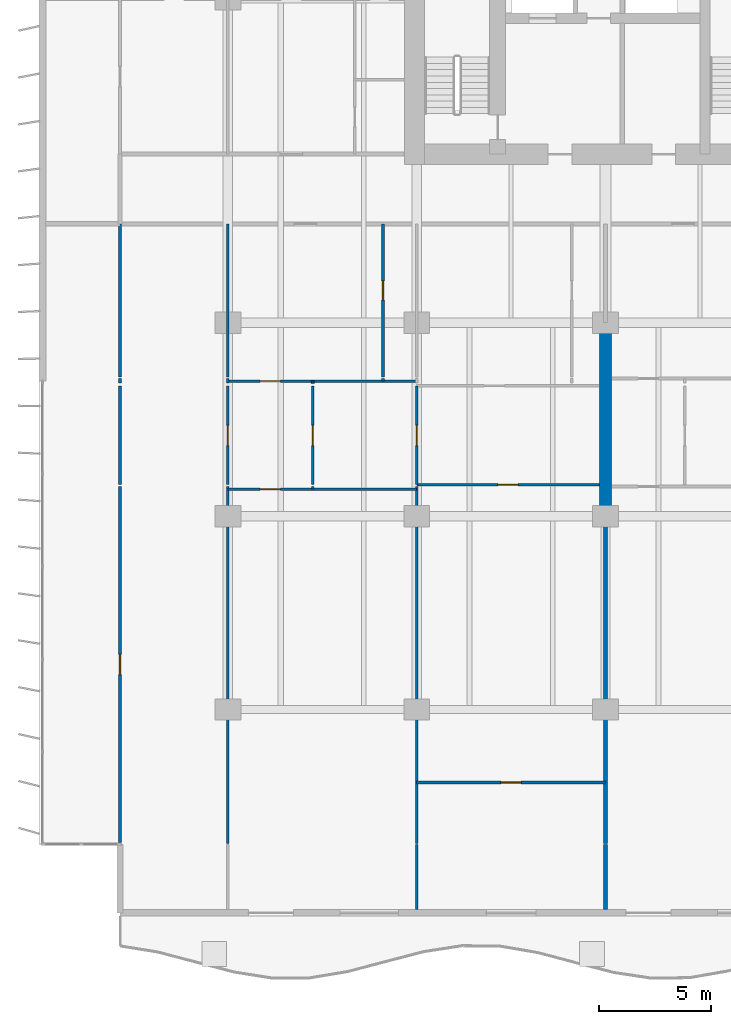
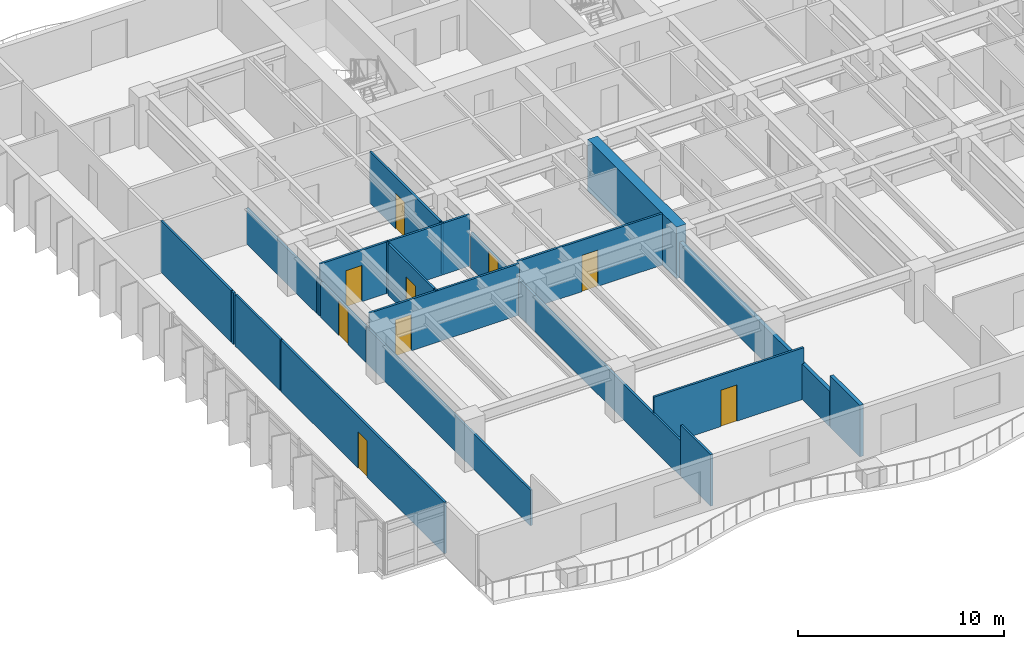
# One storey, part 6 of 18: 23 walls, 9 doors, 9 openings.
"""IFC4 building model written with IfcOpenShell, lengths in metres."""

from ifc_helpers import new_model, si_unit, direction, frame, frame_2d, origin, place, context, subcontext, project, spatial, rectangle, extrude, material, layer, layer_set, type_object, element, fill, save


model = new_model("IFC4")

# Units and contexts
model_context = context("Model", 3, precision=1e-05, world=origin(), true_north=direction((0.0, 1.0)))
body_context = subcontext(model_context, "Body", "Model", "MODEL_VIEW")
ifc_project = project(units=[si_unit("LENGTHUNIT", "METRE"), si_unit("AREAUNIT", "SQUARE_METRE"), si_unit("VOLUMEUNIT", "CUBIC_METRE"), si_unit("PLANEANGLEUNIT", "RADIAN"), si_unit("MASSUNIT", "GRAM", prefix="KILO")], contexts=[model_context])

# Site, building, storey
site_placement = place(None, origin())
site = spatial("IfcSite", under=ifc_project, at=site_placement, CompositionType="ELEMENT")
building_placement = place(site_placement, origin())
building = spatial("IfcBuilding", under=site, at=building_placement, Name="Caelmar Bay Residences", CompositionType="ELEMENT")
storey_placement = place(building_placement, frame((0.0, 0.0, 56.39990234375)))
storey = spatial("IfcBuildingStorey", under=building, at=storey_placement, Name="L14", CompositionType="ELEMENT", Elevation=56.39990234375)

# Wall
ifc_material_1 = material(Name="Concrete f'c 70 MPa (10,000 psi)", Category="concrete")
ifc_layer_1 = layer(ifc_material_1, 0.550048828125)
ifc_layer_set_1 = layer_set([ifc_layer_1], Name="Concrete f'c 70 MPa (10,000 psi)")
wall_type_1 = type_object("IfcWallType", Name="SW-XSLB-550", PredefinedType="SHEAR", material=ifc_layer_set_1)
wall_1_placement = place(storey_placement, frame((26.699951171875, 20.800048828125, 0.0), z_axis=(0.0, 0.0, 1.0), x_axis=(0.0, 1.0, 0.0)))
element("IfcWall", 1, at=wall_1_placement, inside=storey, type_object=wall_type_1, Name="L14 Transverse Cross-Slab Shear Wall W5", PredefinedType="SHEAR", context=body_context, shape_type="SweptSolid", body=[
    extrude(rectangle(XDim=8.599853515625, YDim=0.550048828125, at=frame_2d((4.2998046875, 0.0))), origin(), (0.0, 0.0, 1.0), 3.050048828125),
])

# Wall, opening, door
ifc_material_2 = material(Name="Acoustic metal-stud gypsum partition 120 mm")
ifc_layer_2 = layer(ifc_material_2, 0.1201171875)
ifc_layer_set_2 = layer_set([ifc_layer_2], Name="Acoustic metal-stud gypsum partition 120 mm")
wall_type_2 = type_object("IfcWallType", Name="W-PRT-120", PredefinedType="PARTITIONING", material=ifc_layer_set_2)
wall_2_placement = place(storey_placement, frame((5.10009765625, 6.284912109375, 0.0), z_axis=(0.0, 0.0, 1.0), x_axis=(0.0, 1.0, 0.0)))
wall_2 = element("IfcWall", 2, at=wall_2_placement, inside=storey, type_object=wall_type_2, Name="L14 Partition Wall V001", PredefinedType="PARTITIONING", context=body_context, shape_type="SweptSolid", body=[
    extrude(rectangle(XDim=15.835205078125, YDim=0.1201171875, at=frame_2d((7.91748046875, 0.0))), origin(), (0.0, 0.0, 1.0), 3.050048828125),
])
opening_1_placement = place(wall_2_placement, frame((7.467529296875, 0.0, 0.0)))
opening_1 = element("IfcOpeningElement", 3, at=opening_1_placement, cuts=wall_2, Name="Opening D-L14-164", PredefinedType="OPENING", context=body_context, shape_type="SweptSolid", body=[
    extrude(rectangle(XDim=0.89990234375, YDim=2.14990234375, at=frame_2d((0.449951171875, 1.074951171875))), frame((0.0, 0.070068359375, 0.0), z_axis=(0.0, -1.0, 0.0), x_axis=(1.0, 0.0, 0.0)), (0.0, 0.0, 1.0), 0.14013671875),
])
ifc_material_3 = material(Name="Solid walnut timber interior door leaf and frame", Category="wood")
ifc_layer_3 = layer(ifc_material_3, 0.050048828125)
ifc_layer_set_3 = layer_set([ifc_layer_3], Name="Solid walnut timber interior door leaf and frame")
door_type_1 = type_object("IfcDoorType", Name="D-ROOM-900", OperationType="NOTDEFINED", PredefinedType="DOOR", material=ifc_layer_set_3)
door_1_placement = place(opening_1_placement, origin())
door_1 = element("IfcDoor", 4, at=door_1_placement, inside=storey, type_object=door_type_1, Name="L14 Residence 01 Penthouse West Salon Door", OperationType="SINGLE_SWING_LEFT", OverallHeight=2.14990234375, OverallWidth=0.89990234375, PredefinedType="DOOR", context=body_context, shape_type="SweptSolid", body=[
    extrude(rectangle(XDim=0.89990234375, YDim=2.14990234375, at=frame_2d((0.449951171875, 1.074951171875))), frame((0.0, 0.02490234375, 0.0), z_axis=(0.0, -1.0, 0.0), x_axis=(1.0, 0.0, 0.0)), (0.0, 0.0, 1.0), 0.050048828125),
])
fill(opening_1, door_1)

# Walls
wall_3_placement = place(storey_placement, frame((5.10009765625, 22.199951171875, 0.0), z_axis=(0.0, 0.0, 1.0), x_axis=(0.0, 1.0, 0.0)))
element("IfcWall", 5, at=wall_3_placement, inside=storey, type_object=wall_type_2, Name="L14 Partition Wall V002", PredefinedType="PARTITIONING", context=body_context, shape_type="SweptSolid", body=[
    extrude(rectangle(XDim=4.380126953125, YDim=0.1201171875, at=frame_2d((2.18994140625, 0.0))), origin(), (0.0, 0.0, 1.0), 3.050048828125),
])
wall_4_placement = place(storey_placement, frame((5.10009765625, 26.719970703125, 0.0), z_axis=(0.0, 0.0, 1.0), x_axis=(0.0, 1.0, 0.0)))
element("IfcWall", 6, at=wall_4_placement, inside=storey, type_object=wall_type_2, Name="L14 Partition Wall V003", PredefinedType="PARTITIONING", context=body_context, shape_type="SweptSolid", body=[
    extrude(rectangle(XDim=0.199951171875, YDim=0.1201171875, at=frame_2d((0.10009765625, 0.0))), origin(), (0.0, 0.0, 1.0), 3.050048828125),
])
wall_5_placement = place(storey_placement, frame((5.10009765625, 26.97998046875, 0.0), z_axis=(0.0, 0.0, 1.0), x_axis=(0.0, 1.0, 0.0)))
element("IfcWall", 7, at=wall_5_placement, inside=storey, type_object=wall_type_2, Name="L14 Partition Wall V004", PredefinedType="PARTITIONING", context=body_context, shape_type="SweptSolid", body=[
    extrude(rectangle(XDim=6.820068359375, YDim=0.1201171875, at=frame_2d((3.41015625, 0.0))), origin(), (0.0, 0.0, 1.0), 3.050048828125),
])
wall_6_placement = place(storey_placement, frame((9.89990234375, 6.239990234375, 0.0), z_axis=(0.0, 0.0, 1.0), x_axis=(0.0, 1.0, 0.0)))
element("IfcWall", 8, at=wall_6_placement, inside=storey, type_object=wall_type_2, Name="L14 Partition Wall V008", PredefinedType="PARTITIONING", context=body_context, shape_type="SweptSolid", body=[
    extrude(rectangle(XDim=15.880126953125, YDim=0.1201171875, at=frame_2d((7.93994140625, 0.0))), origin(), (0.0, 0.0, 1.0), 2.110107421875),
])

# Wall, opening, door
wall_7_placement = place(storey_placement, frame((9.89990234375, 22.199951171875, 0.0), z_axis=(0.0, 0.0, 1.0), x_axis=(0.0, 1.0, 0.0)))
wall_7 = element("IfcWall", 9, at=wall_7_placement, inside=storey, type_object=wall_type_2, Name="L14 Partition Wall V009", PredefinedType="PARTITIONING", context=body_context, shape_type="SweptSolid", body=[
    extrude(rectangle(XDim=4.380126953125, YDim=0.1201171875, at=frame_2d((2.18994140625, 0.0))), origin(), (0.0, 0.0, 1.0), 2.110107421875),
])
opening_2_placement = place(wall_7_placement, frame((1.739990234375, 0.0, 0.0)))
opening_2 = element("IfcOpeningElement", 10, at=opening_2_placement, cuts=wall_7, Name="Opening D-L14-131", PredefinedType="OPENING", context=body_context, shape_type="SweptSolid", body=[
    extrude(rectangle(XDim=0.89990234375, YDim=2.06005859375, at=frame_2d((0.449951171875, 1.030029296875))), frame((0.0, 0.070068359375, 0.0), z_axis=(0.0, -1.0, 0.0), x_axis=(1.0, 0.0, 0.0)), (0.0, 0.0, 1.0), 0.14013671875),
])
door_2_placement = place(opening_2_placement, origin())
door_2 = element("IfcDoor", 11, at=door_2_placement, inside=storey, type_object=door_type_1, Name="L14 Residence 01 West Apartment Hall Door", OperationType="SINGLE_SWING_RIGHT", OverallHeight=2.06005859375, OverallWidth=0.89990234375, PredefinedType="DOOR", context=body_context, shape_type="SweptSolid", body=[
    extrude(rectangle(XDim=0.89990234375, YDim=2.06005859375, at=frame_2d((0.449951171875, 1.030029296875))), frame((0.0, 0.02490234375, 0.0), z_axis=(0.0, -1.0, 0.0), x_axis=(1.0, 0.0, 0.0)), (0.0, 0.0, 1.0), 0.050048828125),
])
fill(opening_2, door_2)

# Walls
wall_8_placement = place(storey_placement, frame((9.89990234375, 26.719970703125, 0.0), z_axis=(0.0, 0.0, 1.0), x_axis=(0.0, 1.0, 0.0)))
element("IfcWall", 12, at=wall_8_placement, inside=storey, type_object=wall_type_2, Name="L14 Partition Wall V010", PredefinedType="PARTITIONING", context=body_context, shape_type="SweptSolid", body=[
    extrude(rectangle(XDim=0.199951171875, YDim=0.1201171875, at=frame_2d((0.10009765625, 0.0))), origin(), (0.0, 0.0, 1.0), 2.110107421875),
])
wall_9_placement = place(storey_placement, frame((9.89990234375, 26.97998046875, 0.0), z_axis=(0.0, 0.0, 1.0), x_axis=(0.0, 1.0, 0.0)))
element("IfcWall", 13, at=wall_9_placement, inside=storey, type_object=wall_type_2, Name="L14 Partition Wall V011", PredefinedType="PARTITIONING", context=body_context, shape_type="SweptSolid", body=[
    extrude(rectangle(XDim=6.820068359375, YDim=0.1201171875, at=frame_2d((3.41015625, 0.0))), origin(), (0.0, 0.0, 1.0), 2.110107421875),
])
wall_10_placement = place(storey_placement, frame((13.679931640625, 22.0, 0.0), z_axis=(0.0, 0.0, 1.0), x_axis=(0.0, 1.0, 0.0)))
element("IfcWall", 14, at=wall_10_placement, inside=storey, type_object=wall_type_2, Name="L14 Partition Wall V013", PredefinedType="PARTITIONING", context=body_context, shape_type="SweptSolid", body=[
    extrude(rectangle(XDim=0.1201171875, YDim=0.1201171875, at=frame_2d((0.06005859375, 0.0))), origin(), (0.0, 0.0, 1.0), 3.050048828125),
])

# Wall, opening, door
wall_11_placement = place(storey_placement, frame((13.679931640625, 22.199951171875, 0.0), z_axis=(0.0, 0.0, 1.0), x_axis=(0.0, 1.0, 0.0)))
wall_11 = element("IfcWall", 15, at=wall_11_placement, inside=storey, type_object=wall_type_2, Name="L14 Partition Wall V014", PredefinedType="PARTITIONING", context=body_context, shape_type="SweptSolid", body=[
    extrude(rectangle(XDim=4.380126953125, YDim=0.1201171875, at=frame_2d((2.18994140625, 0.0))), origin(), (0.0, 0.0, 1.0), 3.050048828125),
])
opening_3_placement = place(wall_11_placement, frame((1.739990234375, 0.0, 0.0)))
opening_3 = element("IfcOpeningElement", 16, at=opening_3_placement, cuts=wall_11, Name="Opening D-L14-124", PredefinedType="OPENING", context=body_context, shape_type="SweptSolid", body=[
    extrude(rectangle(XDim=0.89990234375, YDim=2.14990234375, at=frame_2d((0.449951171875, 1.074951171875))), frame((0.0, 0.070068359375, 0.0), z_axis=(0.0, -1.0, 0.0), x_axis=(1.0, 0.0, 0.0)), (0.0, 0.0, 1.0), 0.14013671875),
])
door_3_placement = place(opening_3_placement, origin())
door_3 = element("IfcDoor", 17, at=door_3_placement, inside=storey, type_object=door_type_1, Name="L14 Residence 01 Kitchen Door", OperationType="SINGLE_SWING_LEFT", OverallHeight=2.14990234375, OverallWidth=0.89990234375, PredefinedType="DOOR", context=body_context, shape_type="SweptSolid", body=[
    extrude(rectangle(XDim=0.89990234375, YDim=2.14990234375, at=frame_2d((0.449951171875, 1.074951171875))), frame((0.0, 0.02490234375, 0.0), z_axis=(0.0, -1.0, 0.0), x_axis=(1.0, 0.0, 0.0)), (0.0, 0.0, 1.0), 0.050048828125),
])
fill(opening_3, door_3)

# Walls
wall_12_placement = place(storey_placement, frame((13.679931640625, 26.719970703125, 0.0), z_axis=(0.0, 0.0, 1.0), x_axis=(0.0, 1.0, 0.0)))
element("IfcWall", 18, at=wall_12_placement, inside=storey, type_object=wall_type_2, Name="L14 Partition Wall V015", PredefinedType="PARTITIONING", context=body_context, shape_type="SweptSolid", body=[
    extrude(rectangle(XDim=0.080078125, YDim=0.1201171875, at=frame_2d((0.0400390625, 0.0))), origin(), (0.0, 0.0, 1.0), 3.050048828125),
])
wall_13_placement = place(storey_placement, frame((16.800048828125, 26.800048828125, 0.0), z_axis=(0.0, 0.0, 1.0), x_axis=(0.0, 1.0, 0.0)))
element("IfcWall", 19, at=wall_13_placement, inside=storey, type_object=wall_type_2, Name="L14 Partition Wall V017", PredefinedType="PARTITIONING", context=body_context, shape_type="SweptSolid", body=[
    extrude(rectangle(XDim=0.119873046875, YDim=0.1201171875, at=frame_2d((0.06005859375, 0.0))), origin(), (0.0, 0.0, 1.0), 3.050048828125),
])

# Wall, opening, door
wall_14_placement = place(storey_placement, frame((16.800048828125, 26.97998046875, 0.0), z_axis=(0.0, 0.0, 1.0), x_axis=(0.0, 1.0, 0.0)))
wall_14 = element("IfcWall", 20, at=wall_14_placement, inside=storey, type_object=wall_type_2, Name="L14 Partition Wall V018", PredefinedType="PARTITIONING", context=body_context, shape_type="SweptSolid", body=[
    extrude(rectangle(XDim=6.820068359375, YDim=0.1201171875, at=frame_2d((3.41015625, 0.0))), origin(), (0.0, 0.0, 1.0), 3.050048828125),
])
opening_4_placement = place(wall_14_placement, frame((3.43505859375, 0.0, 0.0)))
opening_4 = element("IfcOpeningElement", 21, at=opening_4_placement, cuts=wall_14, Name="Opening D-L14-122", PredefinedType="OPENING", context=body_context, shape_type="SweptSolid", body=[
    extrude(rectangle(XDim=0.85009765625, YDim=2.10009765625, at=frame_2d((0.425048828125, 1.050048828125))), frame((0.0, 0.070068359375, 0.0), z_axis=(0.0, -1.0, 0.0), x_axis=(1.0, 0.0, 0.0)), (0.0, 0.0, 1.0), 0.14013671875),
])
ifc_layer_4 = layer(ifc_material_3, 0.050048828125)
ifc_layer_set_4 = layer_set([ifc_layer_4], Name="Solid walnut timber interior door leaf and frame")
door_type_2 = type_object("IfcDoorType", Name="D-BATH-850", OperationType="NOTDEFINED", PredefinedType="DOOR", material=ifc_layer_set_4)
door_4_placement = place(opening_4_placement, origin())
door_4 = element("IfcDoor", 22, at=door_4_placement, inside=storey, type_object=door_type_2, Name="L14 Residence 01 Guest Bathroom Door", OperationType="SINGLE_SWING_LEFT", OverallHeight=2.10009765625, OverallWidth=0.85009765625, PredefinedType="DOOR", context=body_context, shape_type="SweptSolid", body=[
    extrude(rectangle(XDim=0.85009765625, YDim=2.10009765625, at=frame_2d((0.425048828125, 1.050048828125))), frame((0.0, 0.02490234375, 0.0), z_axis=(0.0, -1.0, 0.0), x_axis=(1.0, 0.0, 0.0)), (0.0, 0.0, 1.0), 0.050048828125),
])
fill(opening_4, door_4)

# Walls
wall_15_placement = place(storey_placement, frame((18.300048828125, 3.294921875, 0.0), z_axis=(0.0, 0.0, 1.0), x_axis=(0.0, 1.0, 0.0)))
element("IfcWall", 23, at=wall_15_placement, inside=storey, type_object=wall_type_2, Name="L14 Partition Wall V019", PredefinedType="PARTITIONING", context=body_context, shape_type="SweptSolid", body=[
    extrude(rectangle(XDim=2.905029296875, YDim=0.1201171875, at=frame_2d((1.45263671875, 0.0))), origin(), (0.0, 0.0, 1.0), 3.050048828125),
])
wall_16_placement = place(storey_placement, frame((18.300048828125, 6.239990234375, 0.0), z_axis=(0.0, 0.0, 1.0), x_axis=(0.0, 1.0, 0.0)))
element("IfcWall", 24, at=wall_16_placement, inside=storey, type_object=wall_type_2, Name="L14 Partition Wall V020", PredefinedType="PARTITIONING", context=body_context, shape_type="SweptSolid", body=[
    extrude(rectangle(XDim=15.880126953125, YDim=0.1201171875, at=frame_2d((7.93994140625, 0.0))), origin(), (0.0, 0.0, 1.0), 2.110107421875),
])

# Wall, opening, door
wall_17_placement = place(storey_placement, frame((18.300048828125, 22.199951171875, 0.0), z_axis=(0.0, 0.0, 1.0), x_axis=(0.0, 1.0, 0.0)))
wall_17 = element("IfcWall", 25, at=wall_17_placement, inside=storey, type_object=wall_type_2, Name="L14 Partition Wall V021", PredefinedType="PARTITIONING", context=body_context, shape_type="SweptSolid", body=[
    extrude(rectangle(XDim=4.380126953125, YDim=0.1201171875, at=frame_2d((2.18994140625, 0.0))), origin(), (0.0, 0.0, 1.0), 2.110107421875),
])
opening_5_placement = place(wall_17_placement, frame((1.739990234375, 0.0, 0.0)))
opening_5 = element("IfcOpeningElement", 26, at=opening_5_placement, cuts=wall_17, Name="Opening D-L14-126", PredefinedType="OPENING", context=body_context, shape_type="SweptSolid", body=[
    extrude(rectangle(XDim=0.89990234375, YDim=2.06005859375, at=frame_2d((0.449951171875, 1.030029296875))), frame((0.0, 0.070068359375, 0.0), z_axis=(0.0, -1.0, 0.0), x_axis=(1.0, 0.0, 0.0)), (0.0, 0.0, 1.0), 0.14013671875),
])
door_5_placement = place(opening_5_placement, origin())
door_5 = element("IfcDoor", 27, at=door_5_placement, inside=storey, type_object=door_type_1, Name="L14 Residence 01 Conference Study 1 Door", OperationType="SINGLE_SWING_LEFT", OverallHeight=2.06005859375, OverallWidth=0.89990234375, PredefinedType="DOOR", context=body_context, shape_type="SweptSolid", body=[
    extrude(rectangle(XDim=0.89990234375, YDim=2.06005859375, at=frame_2d((0.449951171875, 1.030029296875))), frame((0.0, 0.02490234375, 0.0), z_axis=(0.0, -1.0, 0.0), x_axis=(1.0, 0.0, 0.0)), (0.0, 0.0, 1.0), 0.050048828125),
])
fill(opening_5, door_5)

wall_18_placement = place(storey_placement, frame((18.300048828125, 8.949951171875, 0.0), z_axis=(0.0, 0.0, 1.0), x_axis=(1.0, 0.0, 0.0)))
wall_18 = element("IfcWall", 28, at=wall_18_placement, inside=storey, type_object=wall_type_2, Name="L14 Partition Wall H100", PredefinedType="PARTITIONING", context=body_context, shape_type="SweptSolid", body=[
    extrude(rectangle(XDim=8.39990234375, YDim=0.1201171875, at=frame_2d((4.199951171875, 0.0))), origin(), (0.0, 0.0, 1.0), 3.050048828125),
])
opening_6_placement = place(wall_18_placement, frame((3.75, 0.0, 0.0)))
opening_6 = element("IfcOpeningElement", 29, at=opening_6_placement, cuts=wall_18, Name="Opening D-L14-130", PredefinedType="OPENING", context=body_context, shape_type="SweptSolid", body=[
    extrude(rectangle(XDim=0.89990234375, YDim=2.14990234375, at=frame_2d((0.449951171875, 1.074951171875))), frame((0.0, 0.070068359375, 0.0), z_axis=(0.0, -1.0, 0.0), x_axis=(1.0, 0.0, 0.0)), (0.0, 0.0, 1.0), 0.14013671875),
])
door_6_placement = place(opening_6_placement, origin())
door_6 = element("IfcDoor", 30, at=door_6_placement, inside=storey, type_object=door_type_1, Name="L14 Residence 01 Primary Bedroom 1 Door", OperationType="SINGLE_SWING_LEFT", OverallHeight=2.14990234375, OverallWidth=0.89990234375, PredefinedType="DOOR", context=body_context, shape_type="SweptSolid", body=[
    extrude(rectangle(XDim=0.89990234375, YDim=2.14990234375, at=frame_2d((0.449951171875, 1.074951171875))), frame((0.0, 0.02490234375, 0.0), z_axis=(0.0, -1.0, 0.0), x_axis=(1.0, 0.0, 0.0)), (0.0, 0.0, 1.0), 0.050048828125),
])
fill(opening_6, door_6)

wall_19_placement = place(storey_placement, frame((9.89990234375, 22.0, 0.0), z_axis=(0.0, 0.0, 1.0), x_axis=(1.0, 0.0, 0.0)))
wall_19 = element("IfcWall", 31, at=wall_19_placement, inside=storey, type_object=wall_type_2, Name="L14 Partition Wall H108", PredefinedType="PARTITIONING", context=body_context, shape_type="SweptSolid", body=[
    extrude(rectangle(XDim=8.400146484375, YDim=0.1201171875, at=frame_2d((4.2001953125, 0.0))), origin(), (0.0, 0.0, 1.0), 3.050048828125),
])
opening_7_placement = place(wall_19_placement, frame((1.43994140625, 0.0, 0.0)))
opening_7 = element("IfcOpeningElement", 32, at=opening_7_placement, cuts=wall_19, Name="Opening D-L14-125", PredefinedType="OPENING", context=body_context, shape_type="SweptSolid", body=[
    extrude(rectangle(XDim=0.89990234375, YDim=2.14990234375, at=frame_2d((0.449951171875, 1.074951171875))), frame((0.0, 0.070068359375, 0.0), z_axis=(0.0, -1.0, 0.0), x_axis=(1.0, 0.0, 0.0)), (0.0, 0.0, 1.0), 0.14013671875),
])
door_7_placement = place(opening_7_placement, origin())
door_7 = element("IfcDoor", 33, at=door_7_placement, inside=storey, type_object=door_type_1, Name="L14 Residence 01 Penthouse Living Salon Door", OperationType="SINGLE_SWING_RIGHT", OverallHeight=2.14990234375, OverallWidth=0.89990234375, PredefinedType="DOOR", context=body_context, shape_type="SweptSolid", body=[
    extrude(rectangle(XDim=0.89990234375, YDim=2.14990234375, at=frame_2d((0.449951171875, 1.074951171875))), frame((0.0, 0.02490234375, 0.0), z_axis=(0.0, -1.0, 0.0), x_axis=(1.0, 0.0, 0.0)), (0.0, 0.0, 1.0), 0.050048828125),
])
fill(opening_7, door_7)

wall_20_placement = place(storey_placement, frame((18.304931640625, 22.199951171875, 0.0), z_axis=(0.0, 0.0, 1.0), x_axis=(1.0, 0.0, 0.0)))
wall_20 = element("IfcWall", 34, at=wall_20_placement, inside=storey, type_object=wall_type_2, Name="L14 Partition Wall H110", PredefinedType="PARTITIONING", context=body_context, shape_type="SweptSolid", body=[
    extrude(rectangle(XDim=8.125, YDim=0.1201171875, at=frame_2d((4.0625, 0.0))), origin(), (0.0, 0.0, 1.0), 3.050048828125),
])
opening_8_placement = place(wall_20_placement, frame((3.612548828125, 0.0, 0.0)))
opening_8 = element("IfcOpeningElement", 35, at=opening_8_placement, cuts=wall_20, Name="Opening D-L14-129", PredefinedType="OPENING", context=body_context, shape_type="SweptSolid", body=[
    extrude(rectangle(XDim=0.89990234375, YDim=2.14990234375, at=frame_2d((0.449951171875, 1.074951171875))), frame((0.0, 0.070068359375, 0.0), z_axis=(0.0, -1.0, 0.0), x_axis=(1.0, 0.0, 0.0)), (0.0, 0.0, 1.0), 0.14013671875),
])
door_8_placement = place(opening_8_placement, origin())
door_8 = element("IfcDoor", 36, at=door_8_placement, inside=storey, type_object=door_type_1, Name="L14 Residence 01 Penthouse Sitting Salon 1 Door", OperationType="SINGLE_SWING_RIGHT", OverallHeight=2.14990234375, OverallWidth=0.89990234375, PredefinedType="DOOR", context=body_context, shape_type="SweptSolid", body=[
    extrude(rectangle(XDim=0.89990234375, YDim=2.14990234375, at=frame_2d((0.449951171875, 1.074951171875))), frame((0.0, 0.02490234375, 0.0), z_axis=(0.0, -1.0, 0.0), x_axis=(1.0, 0.0, 0.0)), (0.0, 0.0, 1.0), 0.050048828125),
])
fill(opening_8, door_8)

wall_21_placement = place(storey_placement, frame((9.89990234375, 26.800048828125, 0.0), z_axis=(0.0, 0.0, 1.0), x_axis=(1.0, 0.0, 0.0)))
wall_21 = element("IfcWall", 37, at=wall_21_placement, inside=storey, type_object=wall_type_2, Name="L14 Partition Wall H116", PredefinedType="PARTITIONING", context=body_context, shape_type="SweptSolid", body=[
    extrude(rectangle(XDim=8.39501953125, YDim=0.1201171875, at=frame_2d((4.197509765625, 0.0))), origin(), (0.0, 0.0, 1.0), 3.050048828125),
])
opening_9_placement = place(wall_21_placement, frame((1.43994140625, 0.0, 0.0)))
opening_9 = element("IfcOpeningElement", 38, at=opening_9_placement, cuts=wall_21, Name="Opening D-L14-123", PredefinedType="OPENING", context=body_context, shape_type="SweptSolid", body=[
    extrude(rectangle(XDim=0.89990234375, YDim=2.14990234375, at=frame_2d((0.449951171875, 1.074951171875))), frame((0.0, 0.070068359375, 0.0), z_axis=(0.0, -1.0, 0.0), x_axis=(1.0, 0.0, 0.0)), (0.0, 0.0, 1.0), 0.14013671875),
])
door_9_placement = place(opening_9_placement, origin())
door_9 = element("IfcDoor", 39, at=door_9_placement, inside=storey, type_object=door_type_1, Name="L14 Residence 01 Dining Room Door", OperationType="SINGLE_SWING_RIGHT", OverallHeight=2.14990234375, OverallWidth=0.89990234375, PredefinedType="DOOR", context=body_context, shape_type="SweptSolid", body=[
    extrude(rectangle(XDim=0.89990234375, YDim=2.14990234375, at=frame_2d((0.449951171875, 1.074951171875))), frame((0.0, 0.02490234375, 0.0), z_axis=(0.0, -1.0, 0.0), x_axis=(1.0, 0.0, 0.0)), (0.0, 0.0, 1.0), 0.050048828125),
])
fill(opening_9, door_9)

# Walls
ifc_material_4 = material(Name="Acoustic twin-stud fire-rated inter-tenancy partition 200 mm")
ifc_layer_5 = layer(ifc_material_4, 0.199951171875)
ifc_layer_set_5 = layer_set([ifc_layer_5], Name="Acoustic twin-stud fire-rated inter-tenancy partition 200 mm")
wall_type_3 = type_object("IfcWallType", Name="W-PTY-200", PredefinedType="PARTITIONING", material=ifc_layer_set_5)
wall_22_placement = place(storey_placement, frame((26.699951171875, 3.294921875, 0.0), z_axis=(0.0, 0.0, 1.0), x_axis=(0.0, 1.0, 0.0)))
element("IfcWall", 40, at=wall_22_placement, inside=storey, type_object=wall_type_3, Name="L14 Partition Wall V028", PredefinedType="PARTITIONING", context=body_context, shape_type="SweptSolid", body=[
    extrude(rectangle(XDim=2.905029296875, YDim=0.199951171875, at=frame_2d((1.45263671875, 0.0))), origin(), (0.0, 0.0, 1.0), 3.050048828125),
])
wall_23_placement = place(storey_placement, frame((26.699951171875, 6.239990234375, 0.0), z_axis=(0.0, 0.0, 1.0), x_axis=(0.0, 1.0, 0.0)))
element("IfcWall", 41, at=wall_23_placement, inside=storey, type_object=wall_type_3, Name="L14 Partition Wall V029", PredefinedType="PARTITIONING", context=body_context, shape_type="SweptSolid", body=[
    extrude(rectangle(XDim=14.554931640625, YDim=0.199951171875, at=frame_2d((7.27734375, 0.0))), origin(), (0.0, 0.0, 1.0), 2.110107421875),
])

save(model, "model.ifc")
